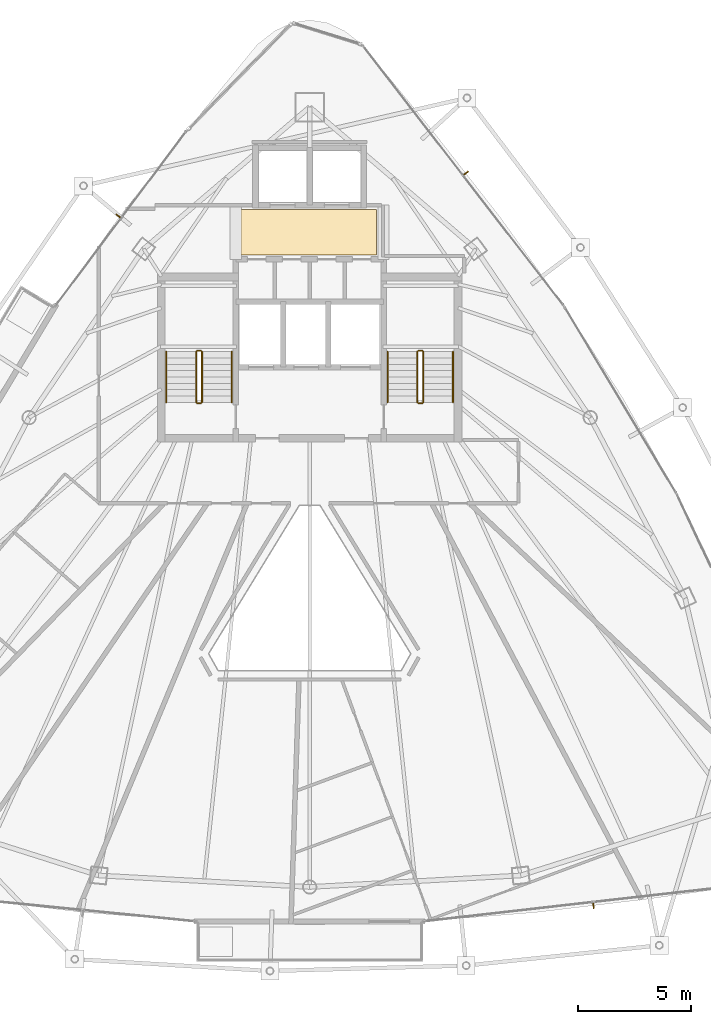
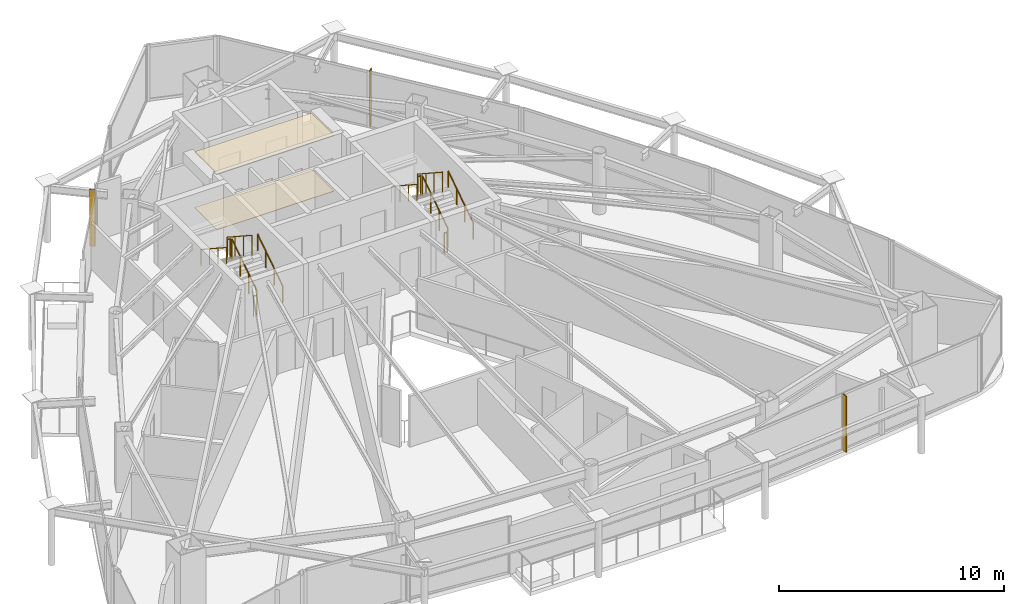
# One storey, part 29 of 29: 12 railings, 3 shading devices, 2 coverings.
"""IFC4 building model written with IfcOpenShell, lengths in metres."""

from ifc_helpers import new_model, si_unit, direction, frame, origin, origin_2d, place, context, subcontext, project, spatial, polyline, rectangle, circle, outline, extrude, material, layer, layer_set, type_object, element, save


model = new_model("IFC4")

# Units and contexts
model_context = context("Model", 3, precision=1e-05, world=origin(), true_north=direction((0.0, 1.0)))
body_context = subcontext(model_context, "Body", "Model", "MODEL_VIEW")
ifc_project = project(units=[si_unit("LENGTHUNIT", "METRE"), si_unit("AREAUNIT", "SQUARE_METRE"), si_unit("VOLUMEUNIT", "CUBIC_METRE"), si_unit("PLANEANGLEUNIT", "RADIAN"), si_unit("MASSUNIT", "GRAM", prefix="KILO")], contexts=[model_context])

# Site, building, storey
site_placement = place(None, origin())
site = spatial("IfcSite", under=ifc_project, at=site_placement, CompositionType="ELEMENT")
building_placement = place(site_placement, origin())
building = spatial("IfcBuilding", under=site, at=building_placement, Name="Orvanel Arch Residences", CompositionType="ELEMENT")
storey_placement = place(building_placement, frame((0.0, 0.0, 246.949951171875)))
storey = spatial("IfcBuildingStorey", under=building, at=storey_placement, Name="L70", CompositionType="ELEMENT", Elevation=246.949951171875)

# Coverings
ifc_material_1 = material(Name="Perforated acoustic mineral-fibre ceiling tile", Category="gypsum")
ifc_layer_1 = layer(ifc_material_1, 0.034912109375)
ifc_layer_set_1 = layer_set([ifc_layer_1], Name="Perforated acoustic mineral-fibre ceiling tile")
covering_type_1 = type_object("IfcCoveringType", Name="COV-CLG-ACS35", PredefinedType="CEILING", material=ifc_layer_set_1)
covering_1_placement = place(storey_placement, frame((0.0, 0.0, 3.025146484375)))
element("IfcCovering", 1, at=covering_1_placement, inside=storey, type_object=covering_type_1, Name="L70 Lift Lobby Acoustic Ceiling", PredefinedType="CEILING", context=body_context, shape_type="SweptSolid", body=[
    extrude(outline(polyline([(29.949951171875, 34.85009765625), (35.949951171875, 34.85009765625), (35.949951171875, 36.85009765625), (29.949951171875, 36.85009765625), (29.949951171875, 34.85009765625)])), origin(), (0.0, 0.0, 1.0), 0.034912109375),
])
ifc_material_2 = material(Name="Honed cementitious terrazzo floor finish", Category="concrete")
ifc_layer_2 = layer(ifc_material_2, 0.02490234375)
ifc_layer_set_2 = layer_set([ifc_layer_2], Name="Honed cementitious terrazzo floor finish")
covering_type_2 = type_object("IfcCoveringType", Name="COV-FLR-TRZ25", PredefinedType="FLOORING", material=ifc_layer_set_2)
covering_2_placement = place(storey_placement, origin())
element("IfcCovering", 2, at=covering_2_placement, inside=storey, type_object=covering_type_2, Name="L70 Lift Lobby Terrazzo Flooring", PredefinedType="FLOORING", context=body_context, shape_type="SweptSolid", body=[
    extrude(outline(polyline([(29.949951171875, 34.85009765625), (35.949951171875, 34.85009765625), (35.949951171875, 36.85009765625), (29.949951171875, 36.85009765625), (29.949951171875, 34.85009765625)])), origin(), (0.0, 0.0, 1.0), 0.025146484375),
])

# Shading devices
ifc_material_3 = material(Name="Bronze-anodised aluminium AA6063-T6", Category="aluminium")
ifc_layer_3 = layer(ifc_material_3, 0.050048828125)
ifc_layer_set_3 = layer_set([ifc_layer_3], Name="Bronze-anodised aluminium AA6063-T6")
shading_device_type = type_object("IfcShadingDeviceType", Name="FIN-BRZ-260", PredefinedType="USERDEFINED", material=ifc_layer_set_3)
for number, where, z_axis, x_axis, name in (
    (3, (24.52587890625, 36.570068359375, 0.0), (0.0, 0.0, 1.0), (-0.799684658487, 0.600420225326, 0.0), "L70 Anodised Bronze Mullion FIN 01"),
    (4, (45.572998046875, 6.01904296875, 0.0), (0.0, 0.0, 1.0), (0.113203213768, -0.993571855677, 0.0), "L70 Anodised Bronze Mullion FIN 01"),
    (5, (39.919921875, 38.468017578125, 0.0), (0.0, 0.0, 1.0), (0.791223532967, 0.611527040186, 0.0), "L70 Anodised Bronze Mullion FIN 01"),
):
    element("IfcShadingDevice", number, at=place(storey_placement, frame(where, z_axis=z_axis, x_axis=x_axis)), inside=storey, type_object=shading_device_type, Name=name, ObjectType="FIN", PredefinedType="USERDEFINED", context=body_context, shape_type="SweptSolid", body=[
        extrude(rectangle(XDim=0.260009765625, YDim=0.050048828125, at=origin_2d()), origin(), (0.0, 0.0, 1.0), 3.06005859375),
    ])

# Railings
ifc_material_4 = material(Name="Structural steel AS/NZS 1163 C350L0 (Grade 350)", Category="steel")
railing_type_1 = type_object("IfcRailingType", Name="RL-STAIR-GUARD", PredefinedType="GUARDRAIL", material=ifc_material_4)
railing_1_placement = place(storey_placement, frame((28.22998046875, 28.320068359375, 0.183349609375)))
element("IfcRailing", 6, at=railing_1_placement, inside=storey, type_object=railing_type_1, Name="L70 ST-1 stair guard 1", PredefinedType="GUARDRAIL", context=body_context, shape_type="SweptSolid", body=[
    extrude(circle(Radius=0.02392578125, at=origin_2d()), frame((0.0, 0.001220703125, 1.076904296875), z_axis=(0.0, 0.836595146698, 0.547821650285), x_axis=(-1.0, 0.0, 0.0)), (0.0, 0.0, 1.0), 2.674560546875),
    extrude(circle(Radius=0.02099609375, at=origin_2d()), origin(), (0.0, 0.0, 1.0), 1.050048828125),
    extrude(circle(Radius=0.02099609375, at=origin_2d()), frame((0.0, 0.74658203125, 0.489013671875)), (0.0, 0.0, 1.0), 1.050048828125),
    extrude(circle(Radius=0.02099609375, at=origin_2d()), frame((0.0, 1.493408203125, 0.977783203125)), (0.0, 0.0, 1.0), 1.050048828125),
    extrude(circle(Radius=0.02099609375, at=origin_2d()), frame((0.0, 2.239990234375, 1.466796875)), (0.0, 0.0, 1.0), 1.050048828125),
])
railing_2_placement = place(storey_placement, frame((28.179931640625, 30.610107421875, 1.650146484375)))
element("IfcRailing", 7, at=railing_2_placement, inside=storey, type_object=railing_type_1, Name="L70 ST-1 stair guard 2", PredefinedType="GUARDRAIL", context=body_context, shape_type="SweptSolid", body=[
    extrude(circle(Radius=0.02392578125, at=origin_2d()), frame((-0.00146484375, 0.0, 1.076171875), z_axis=(-1.0, 0.0, 0.0), x_axis=(0.0, -1.0, 0.0)), (0.0, 0.0, 1.0), 0.156982421875),
    extrude(circle(Radius=0.02099609375, at=origin_2d()), origin(), (0.0, 0.0, 1.0), 1.050048828125),
    extrude(circle(Radius=0.02099609375, at=origin_2d()), frame((-0.159912109375, 0.0, 0.0)), (0.0, 0.0, 1.0), 1.050048828125),
])
railing_3_placement = place(storey_placement, frame((27.969970703125, 30.56005859375, 1.83349609375)))
element("IfcRailing", 8, at=railing_3_placement, inside=storey, type_object=railing_type_1, Name="L70 ST-1 stair guard 3", PredefinedType="GUARDRAIL", context=body_context, shape_type="SweptSolid", body=[
    extrude(circle(Radius=0.02392578125, at=origin_2d()), frame((0.0, -0.001220703125, 1.076904296875), z_axis=(0.0, -0.836636935527, 0.547757827979), x_axis=(1.0, 0.0, 0.0)), (0.0, 0.0, 1.0), 2.67431640625),
    extrude(circle(Radius=0.02099609375, at=origin_2d()), origin(), (0.0, 0.0, 1.0), 1.050048828125),
    extrude(circle(Radius=0.02099609375, at=origin_2d()), frame((0.0, -0.74658203125, 0.48876953125)), (0.0, 0.0, 1.0), 1.050048828125),
    extrude(circle(Radius=0.02099609375, at=origin_2d()), frame((0.0, -1.493408203125, 0.977783203125)), (0.0, 0.0, 1.0), 1.050048828125),
    extrude(circle(Radius=0.02099609375, at=origin_2d()), frame((0.0, -2.239990234375, 1.466552734375)), (0.0, 0.0, 1.0), 1.050048828125),
])
railing_4_placement = place(storey_placement, frame((28.179931640625, 28.27001953125, 0.0)))
element("IfcRailing", 9, at=railing_4_placement, inside=storey, type_object=railing_type_1, Name="L70 ST-1 stair guard 4", PredefinedType="GUARDRAIL", context=body_context, shape_type="SweptSolid", body=[
    extrude(circle(Radius=0.02392578125, at=origin_2d()), frame((-0.00146484375, 0.0, 1.076171875), z_axis=(-1.0, 0.0, 0.0), x_axis=(0.0, -1.0, 0.0)), (0.0, 0.0, 1.0), 0.156982421875),
    extrude(circle(Radius=0.02099609375, at=origin_2d()), origin(), (0.0, 0.0, 1.0), 1.050048828125),
    extrude(circle(Radius=0.02099609375, at=origin_2d()), frame((-0.159912109375, 0.0, 0.0)), (0.0, 0.0, 1.0), 1.050048828125),
])
railing_5_placement = place(storey_placement, frame((38.030029296875, 28.320068359375, 0.183349609375)))
element("IfcRailing", 10, at=railing_5_placement, inside=storey, type_object=railing_type_1, Name="L70 ST-2 stair guard 1", PredefinedType="GUARDRAIL", context=body_context, shape_type="SweptSolid", body=[
    extrude(circle(Radius=0.02392578125, at=origin_2d()), frame((0.0, 0.001220703125, 1.076904296875), z_axis=(0.0, 0.836595146698, 0.547821650285), x_axis=(-1.0, 0.0, 0.0)), (0.0, 0.0, 1.0), 2.674560546875),
    extrude(circle(Radius=0.02099609375, at=origin_2d()), origin(), (0.0, 0.0, 1.0), 1.050048828125),
    extrude(circle(Radius=0.02099609375, at=origin_2d()), frame((0.0, 0.74658203125, 0.489013671875)), (0.0, 0.0, 1.0), 1.050048828125),
    extrude(circle(Radius=0.02099609375, at=origin_2d()), frame((0.0, 1.493408203125, 0.977783203125)), (0.0, 0.0, 1.0), 1.050048828125),
    extrude(circle(Radius=0.02099609375, at=origin_2d()), frame((0.0, 2.239990234375, 1.466796875)), (0.0, 0.0, 1.0), 1.050048828125),
])
railing_6_placement = place(storey_placement, frame((37.97998046875, 30.610107421875, 1.650146484375)))
element("IfcRailing", 11, at=railing_6_placement, inside=storey, type_object=railing_type_1, Name="L70 ST-2 stair guard 2", PredefinedType="GUARDRAIL", context=body_context, shape_type="SweptSolid", body=[
    extrude(circle(Radius=0.02392578125, at=origin_2d()), frame((-0.00146484375, 0.0, 1.076171875), z_axis=(-1.0, 0.0, 0.0), x_axis=(0.0, -1.0, 0.0)), (0.0, 0.0, 1.0), 0.156982421875),
    extrude(circle(Radius=0.02099609375, at=origin_2d()), origin(), (0.0, 0.0, 1.0), 1.050048828125),
    extrude(circle(Radius=0.02099609375, at=origin_2d()), frame((-0.159912109375, 0.0, 0.0)), (0.0, 0.0, 1.0), 1.050048828125),
])
railing_7_placement = place(storey_placement, frame((37.77001953125, 30.56005859375, 1.83349609375)))
element("IfcRailing", 12, at=railing_7_placement, inside=storey, type_object=railing_type_1, Name="L70 ST-2 stair guard 3", PredefinedType="GUARDRAIL", context=body_context, shape_type="SweptSolid", body=[
    extrude(circle(Radius=0.02392578125, at=origin_2d()), frame((0.0, -0.001220703125, 1.076904296875), z_axis=(0.0, -0.836636935527, 0.547757827979), x_axis=(1.0, 0.0, 0.0)), (0.0, 0.0, 1.0), 2.67431640625),
    extrude(circle(Radius=0.02099609375, at=origin_2d()), origin(), (0.0, 0.0, 1.0), 1.050048828125),
    extrude(circle(Radius=0.02099609375, at=origin_2d()), frame((0.0, -0.74658203125, 0.48876953125)), (0.0, 0.0, 1.0), 1.050048828125),
    extrude(circle(Radius=0.02099609375, at=origin_2d()), frame((0.0, -1.493408203125, 0.977783203125)), (0.0, 0.0, 1.0), 1.050048828125),
    extrude(circle(Radius=0.02099609375, at=origin_2d()), frame((0.0, -2.239990234375, 1.466552734375)), (0.0, 0.0, 1.0), 1.050048828125),
])
railing_8_placement = place(storey_placement, frame((37.97998046875, 28.27001953125, 0.0)))
element("IfcRailing", 13, at=railing_8_placement, inside=storey, type_object=railing_type_1, Name="L70 ST-2 stair guard 4", PredefinedType="GUARDRAIL", context=body_context, shape_type="SweptSolid", body=[
    extrude(circle(Radius=0.02392578125, at=origin_2d()), frame((-0.00146484375, 0.0, 1.076171875), z_axis=(-1.0, 0.0, 0.0), x_axis=(0.0, -1.0, 0.0)), (0.0, 0.0, 1.0), 0.156982421875),
    extrude(circle(Radius=0.02099609375, at=origin_2d()), origin(), (0.0, 0.0, 1.0), 1.050048828125),
    extrude(circle(Radius=0.02099609375, at=origin_2d()), frame((-0.159912109375, 0.0, 0.0)), (0.0, 0.0, 1.0), 1.050048828125),
])
railing_type_2 = type_object("IfcRailingType", Name="RL-STAIR-HAND", PredefinedType="HANDRAIL", material=ifc_material_4)
railing_9_placement = place(storey_placement, frame((29.550048828125, 28.320068359375, 0.183349609375)))
element("IfcRailing", 14, at=railing_9_placement, inside=storey, type_object=railing_type_2, Name="L70 ST-1 stair handrail 1", PredefinedType="HANDRAIL", context=body_context, shape_type="SweptSolid", body=[
    extrude(circle(Radius=0.02392578125, at=origin_2d()), frame((0.0, 0.001220703125, 0.876708984375), z_axis=(0.0, 0.836595146698, 0.547821650285), x_axis=(-1.0, 0.0, 0.0)), (0.0, 0.0, 1.0), 2.674560546875),
    extrude(circle(Radius=0.02099609375, at=origin_2d()), origin(), (0.0, 0.0, 1.0), 0.849853515625),
    extrude(circle(Radius=0.02099609375, at=origin_2d()), frame((0.0, 0.74658203125, 0.489013671875)), (0.0, 0.0, 1.0), 0.849853515625),
    extrude(circle(Radius=0.02099609375, at=origin_2d()), frame((0.0, 1.493408203125, 0.977783203125)), (0.0, 0.0, 1.0), 0.849853515625),
    extrude(circle(Radius=0.02099609375, at=origin_2d()), frame((0.0, 2.239990234375, 1.466796875)), (0.0, 0.0, 1.0), 0.849853515625),
])
railing_10_placement = place(storey_placement, frame((26.64990234375, 30.56005859375, 1.83349609375)))
element("IfcRailing", 15, at=railing_10_placement, inside=storey, type_object=railing_type_2, Name="L70 ST-1 stair handrail 2", PredefinedType="HANDRAIL", context=body_context, shape_type="SweptSolid", body=[
    extrude(circle(Radius=0.02392578125, at=origin_2d()), frame((0.0, -0.001220703125, 0.876708984375), z_axis=(0.0, -0.836636935527, 0.547757827979), x_axis=(1.0, 0.0, 0.0)), (0.0, 0.0, 1.0), 2.67431640625),
    extrude(circle(Radius=0.02099609375, at=origin_2d()), origin(), (0.0, 0.0, 1.0), 0.849853515625),
    extrude(circle(Radius=0.02099609375, at=origin_2d()), frame((0.0, -0.74658203125, 0.48876953125)), (0.0, 0.0, 1.0), 0.849853515625),
    extrude(circle(Radius=0.02099609375, at=origin_2d()), frame((0.0, -1.493408203125, 0.977783203125)), (0.0, 0.0, 1.0), 0.849853515625),
    extrude(circle(Radius=0.02099609375, at=origin_2d()), frame((0.0, -2.239990234375, 1.466552734375)), (0.0, 0.0, 1.0), 0.849853515625),
])
railing_11_placement = place(storey_placement, frame((39.35009765625, 28.320068359375, 0.183349609375)))
element("IfcRailing", 16, at=railing_11_placement, inside=storey, type_object=railing_type_2, Name="L70 ST-2 stair handrail 1", PredefinedType="HANDRAIL", context=body_context, shape_type="SweptSolid", body=[
    extrude(circle(Radius=0.02392578125, at=origin_2d()), frame((0.0, 0.001220703125, 0.876708984375), z_axis=(0.0, 0.836595146698, 0.547821650285), x_axis=(-1.0, 0.0, 0.0)), (0.0, 0.0, 1.0), 2.674560546875),
    extrude(circle(Radius=0.02099609375, at=origin_2d()), origin(), (0.0, 0.0, 1.0), 0.849853515625),
    extrude(circle(Radius=0.02099609375, at=origin_2d()), frame((0.0, 0.74658203125, 0.489013671875)), (0.0, 0.0, 1.0), 0.849853515625),
    extrude(circle(Radius=0.02099609375, at=origin_2d()), frame((0.0, 1.493408203125, 0.977783203125)), (0.0, 0.0, 1.0), 0.849853515625),
    extrude(circle(Radius=0.02099609375, at=origin_2d()), frame((0.0, 2.239990234375, 1.466796875)), (0.0, 0.0, 1.0), 0.849853515625),
])
railing_12_placement = place(storey_placement, frame((36.449951171875, 30.56005859375, 1.83349609375)))
element("IfcRailing", 17, at=railing_12_placement, inside=storey, type_object=railing_type_2, Name="L70 ST-2 stair handrail 2", PredefinedType="HANDRAIL", context=body_context, shape_type="SweptSolid", body=[
    extrude(circle(Radius=0.02392578125, at=origin_2d()), frame((0.0, -0.001220703125, 0.876708984375), z_axis=(0.0, -0.836636935527, 0.547757827979), x_axis=(1.0, 0.0, 0.0)), (0.0, 0.0, 1.0), 2.67431640625),
    extrude(circle(Radius=0.02099609375, at=origin_2d()), origin(), (0.0, 0.0, 1.0), 0.849853515625),
    extrude(circle(Radius=0.02099609375, at=origin_2d()), frame((0.0, -0.74658203125, 0.48876953125)), (0.0, 0.0, 1.0), 0.849853515625),
    extrude(circle(Radius=0.02099609375, at=origin_2d()), frame((0.0, -1.493408203125, 0.977783203125)), (0.0, 0.0, 1.0), 0.849853515625),
    extrude(circle(Radius=0.02099609375, at=origin_2d()), frame((0.0, -2.239990234375, 1.466552734375)), (0.0, 0.0, 1.0), 0.849853515625),
])

save(model, "model.ifc")
